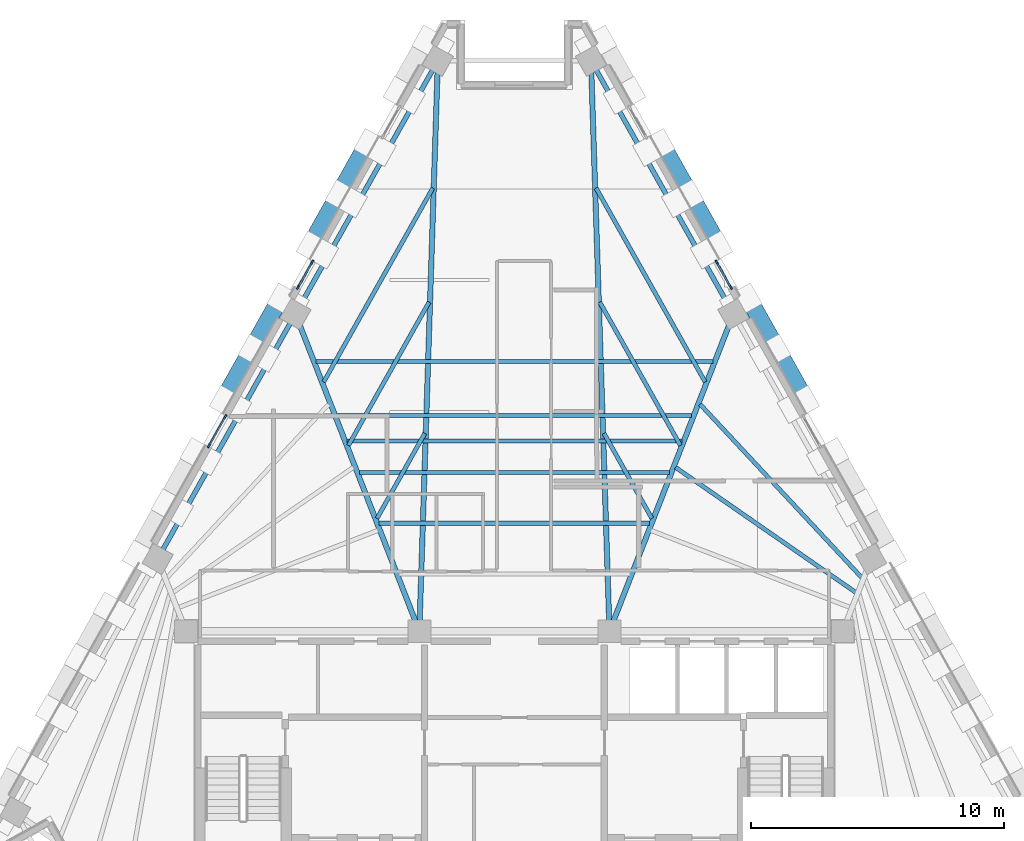
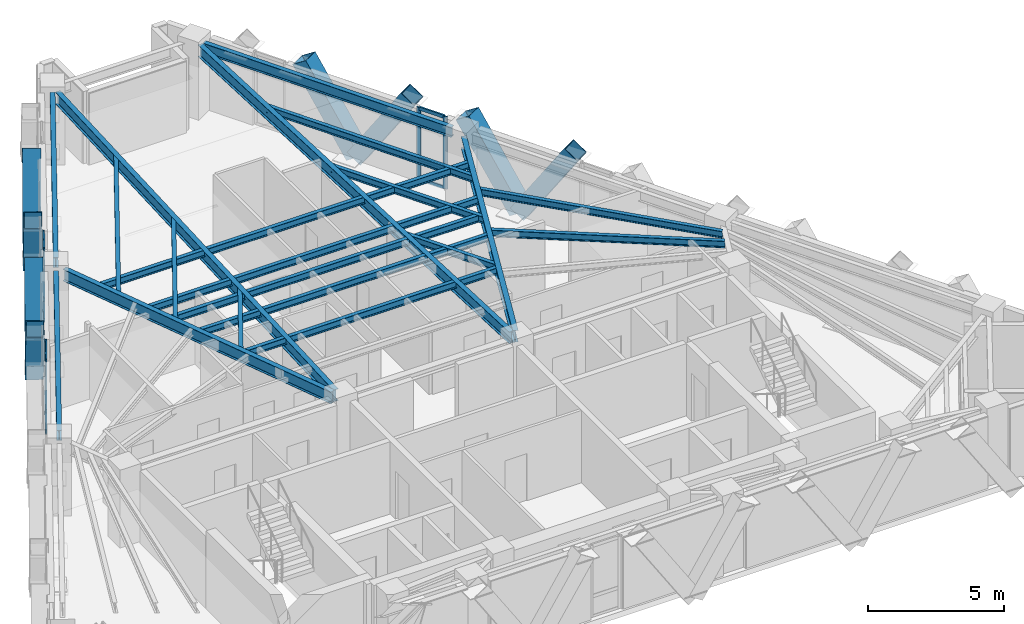
# One storey, part 3 of 12: 23 members, 20 beams, 3 elements without a shape of their own.
"""IFC4 building model written with IfcOpenShell, lengths in metres."""

from ifc_helpers import new_model, si_unit, direction, frame, origin, origin_2d, place, context, subcontext, project, spatial, rectangle, hollow_rectangle, i_section, extrude, material, material_profile, profile_set, type_object, element, aggregate, save


model = new_model("IFC4")

# Units and contexts
model_context = context("Model", 3, precision=1e-05, world=origin(), true_north=direction((0.0, 1.0)))
body_context = subcontext(model_context, "Body", "Model", "MODEL_VIEW")
ifc_project = project(units=[si_unit("LENGTHUNIT", "METRE"), si_unit("AREAUNIT", "SQUARE_METRE"), si_unit("VOLUMEUNIT", "CUBIC_METRE"), si_unit("PLANEANGLEUNIT", "RADIAN"), si_unit("MASSUNIT", "GRAM", prefix="KILO")], contexts=[model_context])

# Site, building, storey
site_placement = place(None, origin())
site = spatial("IfcSite", under=ifc_project, at=site_placement, CompositionType="ELEMENT")
building_placement = place(site_placement, origin())
building = spatial("IfcBuilding", under=site, at=building_placement, Name="Quenlor Broadcast Tower", CompositionType="ELEMENT")
storey_placement = place(building_placement, frame((0.0, 0.0, 221.89990234375)))
storey = spatial("IfcBuildingStorey", under=building, at=storey_placement, Name="L61", CompositionType="ELEMENT", Elevation=221.89990234375)

# Curtain wall, members
ifc_material_1 = material(Name="Architectural Terracotta and Low-E Glazing", Category="masonry")
curtain_wall_type = type_object("IfcCurtainWallType", Name="Unitised Terracotta Curtain Wall System Z4", PredefinedType="NOTDEFINED", material=ifc_material_1)
curtain_wall_1_placement = place(storey_placement, origin())
curtain_wall_1 = element("IfcCurtainWall", 1, at=curtain_wall_1_placement, inside=storey, type_object=curtain_wall_type, Name="L61 Curtain Wall CW4 (L61-NEA-G2)", PredefinedType="NOTDEFINED")
ifc_material_2 = material(Name="Aluminium 6063-T6", Category="aluminium")
ifc_material_profile_1 = material_profile(ifc_material_2, rectangle(XDim=0.068115234375, YDim=0.179931640625, at=origin_2d()))
ifc_profile_set_1 = profile_set([ifc_material_profile_1], Name="Aluminium 6063-T6 MULL68x180")
member_type_1 = type_object("IfcMemberType", Name="CW4 Aluminium Mullion MULL_CW4", PredefinedType="MULLION", material=ifc_profile_set_1)
member_1_placement = place(storey_placement, frame((7.979248046875, 9.755859375, 0.0), z_axis=(0.0, 0.0, 1.0), x_axis=(0.871557755022, 0.490292850918, 0.0)))
member_1 = element("IfcMember", 2, at=member_1_placement, type_object=member_type_1, Name="CW4 mullion 1", PredefinedType="MULLION", context=body_context, shape_type="SweptSolid", body=[
    extrude(rectangle(XDim=0.068115234375, YDim=0.179931640625, at=origin_2d()), origin(), (0.0, 0.0, 1.0), 3.25),
])
member_2_placement = place(storey_placement, frame((8.534912109375, 8.767822265625, 0.0), z_axis=(0.0, 0.0, 1.0), x_axis=(0.871557755022, 0.490292850918, 0.0)))
member_2 = element("IfcMember", 3, at=member_2_placement, type_object=member_type_1, Name="CW4 mullion 2", PredefinedType="MULLION", context=body_context, shape_type="SweptSolid", body=[
    extrude(rectangle(XDim=0.068115234375, YDim=0.179931640625, at=origin_2d()), origin(), (0.0, 0.0, 1.0), 3.25),
])

curtain_wall_2_placement = place(storey_placement, origin())
curtain_wall_2 = element("IfcCurtainWall", 4, at=curtain_wall_2_placement, inside=storey, type_object=curtain_wall_type, Name="L61 Curtain Wall CW4 (L61-NWC-G1)", PredefinedType="NOTDEFINED")
member_3_placement = place(storey_placement, frame((-8.534912109375, 8.767822265625, 0.0), z_axis=(0.0, 0.0, 1.0), x_axis=(-0.871557755022, 0.490292850918, 0.0)))
member_3 = element("IfcMember", 5, at=member_3_placement, type_object=member_type_1, Name="CW4 mullion 1", PredefinedType="MULLION", context=body_context, shape_type="SweptSolid", body=[
    extrude(rectangle(XDim=0.068115234375, YDim=0.179931640625, at=origin_2d()), origin(), (0.0, 0.0, 1.0), 3.25),
])
member_4_placement = place(storey_placement, frame((-7.979248046875, 9.755859375, 0.0), z_axis=(0.0, 0.0, 1.0), x_axis=(-0.871557755022, 0.490292850918, 0.0)))
member_4 = element("IfcMember", 6, at=member_4_placement, type_object=member_type_1, Name="CW4 mullion 2", PredefinedType="MULLION", context=body_context, shape_type="SweptSolid", body=[
    extrude(rectangle(XDim=0.068115234375, YDim=0.179931640625, at=origin_2d()), origin(), (0.0, 0.0, 1.0), 3.25),
])

curtain_wall_3_placement = place(storey_placement, origin())
curtain_wall_3 = element("IfcCurtainWall", 7, at=curtain_wall_3_placement, inside=storey, type_object=curtain_wall_type, Name="L61 Curtain Wall CW4 (L61-NW-G1)", PredefinedType="NOTDEFINED")
member_5_placement = place(storey_placement, frame((-12.049560546875, 2.519775390625, 0.0), z_axis=(0.0, 0.0, 1.0), x_axis=(-0.871560008943, 0.490288844266, 0.0)))
member_5 = element("IfcMember", 8, at=member_5_placement, type_object=member_type_1, Name="CW4 mullion 1", PredefinedType="MULLION", context=body_context, shape_type="SweptSolid", body=[
    extrude(rectangle(XDim=0.068115234375, YDim=0.179931640625, at=origin_2d()), origin(), (0.0, 0.0, 1.0), 3.25),
])
member_6_placement = place(storey_placement, frame((-11.408203125, 3.65966796875, 0.0), z_axis=(0.0, 0.0, 1.0), x_axis=(-0.871560008943, 0.490288844266, 0.0)))
member_6 = element("IfcMember", 9, at=member_6_placement, type_object=member_type_1, Name="CW4 mullion 2", PredefinedType="MULLION", context=body_context, shape_type="SweptSolid", body=[
    extrude(rectangle(XDim=0.068115234375, YDim=0.179931640625, at=origin_2d()), origin(), (0.0, 0.0, 1.0), 3.25),
])

# Member
ifc_material_3 = material(Name="Aluminium 6063-T6", Category="aluminium")
ifc_material_profile_2 = material_profile(ifc_material_3, rectangle(XDim=0.068115234375, YDim=0.14990234375, at=origin_2d()))
ifc_profile_set_2 = profile_set([ifc_material_profile_2], Name="Aluminium 6063-T6 TRAN68x150")
member_type_2 = type_object("IfcMemberType", Name="CW4 Aluminium Transom TRAN_CW4", PredefinedType="USERDEFINED", material=ifc_profile_set_2)
member_7_placement = place(storey_placement, frame((7.995849609375, 9.72607421875, 0.0341796875), z_axis=(0.490304750356, -0.871551060913, 0.0), x_axis=(0.871551060913, 0.490304750356, 0.0)))
member_7 = element("IfcMember", 10, at=member_7_placement, type_object=member_type_2, Name="CW4 transom 1.1", ObjectType="TRANSOM", PredefinedType="USERDEFINED", context=body_context, shape_type="SweptSolid", body=[
    extrude(rectangle(XDim=0.068115234375, YDim=0.14990234375, at=origin_2d()), origin(), (0.0, 0.0, 1.0), 1.065673828125),
])

member_8_placement = place(storey_placement, frame((7.995849609375, 9.72607421875, 0.9501953125), z_axis=(0.490304750356, -0.871551060913, 0.0), x_axis=(0.871551060913, 0.490304750356, 0.0)))
member_8 = element("IfcMember", 11, at=member_8_placement, type_object=member_type_2, Name="CW4 transom 1.2", ObjectType="TRANSOM", PredefinedType="USERDEFINED", context=body_context, shape_type="SweptSolid", body=[
    extrude(rectangle(XDim=0.068115234375, YDim=0.14990234375, at=origin_2d()), origin(), (0.0, 0.0, 1.0), 1.065673828125),
])

member_9_placement = place(storey_placement, frame((7.995849609375, 9.72607421875, 3.216064453125), z_axis=(0.490304750356, -0.871551060913, 0.0), x_axis=(0.871551060913, 0.490304750356, 0.0)))
member_9 = element("IfcMember", 12, at=member_9_placement, type_object=member_type_2, Name="CW4 transom 1.3", ObjectType="TRANSOM", PredefinedType="USERDEFINED", context=body_context, shape_type="SweptSolid", body=[
    extrude(rectangle(XDim=0.068115234375, YDim=0.14990234375, at=origin_2d()), origin(), (0.0, 0.0, 1.0), 1.065673828125),
])

aggregate(curtain_wall_1, [member_1, member_2, member_7, member_8, member_9])

member_10_placement = place(storey_placement, frame((-8.518310546875, 8.79736328125, 0.0341796875), z_axis=(0.490304750356, 0.871551060913, 0.0), x_axis=(-0.871551060913, 0.490304750356, 0.0)))
member_10 = element("IfcMember", 13, at=member_10_placement, type_object=member_type_2, Name="CW4 transom 1.1", ObjectType="TRANSOM", PredefinedType="USERDEFINED", context=body_context, shape_type="SweptSolid", body=[
    extrude(rectangle(XDim=0.068115234375, YDim=0.14990234375, at=origin_2d()), origin(), (0.0, 0.0, 1.0), 1.065673828125),
])

member_11_placement = place(storey_placement, frame((-8.518310546875, 8.79736328125, 0.9501953125), z_axis=(0.490304750356, 0.871551060913, 0.0), x_axis=(-0.871551060913, 0.490304750356, 0.0)))
member_11 = element("IfcMember", 14, at=member_11_placement, type_object=member_type_2, Name="CW4 transom 1.2", ObjectType="TRANSOM", PredefinedType="USERDEFINED", context=body_context, shape_type="SweptSolid", body=[
    extrude(rectangle(XDim=0.068115234375, YDim=0.14990234375, at=origin_2d()), origin(), (0.0, 0.0, 1.0), 1.065673828125),
])

member_12_placement = place(storey_placement, frame((-8.518310546875, 8.79736328125, 3.216064453125), z_axis=(0.490304750356, 0.871551060913, 0.0), x_axis=(-0.871551060913, 0.490304750356, 0.0)))
member_12 = element("IfcMember", 15, at=member_12_placement, type_object=member_type_2, Name="CW4 transom 1.3", ObjectType="TRANSOM", PredefinedType="USERDEFINED", context=body_context, shape_type="SweptSolid", body=[
    extrude(rectangle(XDim=0.068115234375, YDim=0.14990234375, at=origin_2d()), origin(), (0.0, 0.0, 1.0), 1.065673828125),
])

aggregate(curtain_wall_2, [member_3, member_4, member_10, member_11, member_12])

member_13_placement = place(storey_placement, frame((-12.032958984375, 2.54931640625, 0.0341796875), z_axis=(0.490233197009, 0.871591310506, 0.0), x_axis=(-0.871591310506, 0.490233197009, 0.0)))
member_13 = element("IfcMember", 16, at=member_13_placement, type_object=member_type_2, Name="CW4 transom 1.1", ObjectType="TRANSOM", PredefinedType="USERDEFINED", context=body_context, shape_type="SweptSolid", body=[
    extrude(rectangle(XDim=0.068115234375, YDim=0.14990234375, at=origin_2d()), origin(), (0.0, 0.0, 1.0), 1.239990234375),
])

member_14_placement = place(storey_placement, frame((-12.032958984375, 2.54931640625, 0.9501953125), z_axis=(0.490233197009, 0.871591310506, 0.0), x_axis=(-0.871591310506, 0.490233197009, 0.0)))
member_14 = element("IfcMember", 17, at=member_14_placement, type_object=member_type_2, Name="CW4 transom 1.2", ObjectType="TRANSOM", PredefinedType="USERDEFINED", context=body_context, shape_type="SweptSolid", body=[
    extrude(rectangle(XDim=0.068115234375, YDim=0.14990234375, at=origin_2d()), origin(), (0.0, 0.0, 1.0), 1.239990234375),
])

member_15_placement = place(storey_placement, frame((-12.032958984375, 2.54931640625, 3.216064453125), z_axis=(0.490233197009, 0.871591310506, 0.0), x_axis=(-0.871591310506, 0.490233197009, 0.0)))
member_15 = element("IfcMember", 18, at=member_15_placement, type_object=member_type_2, Name="CW4 transom 1.3", ObjectType="TRANSOM", PredefinedType="USERDEFINED", context=body_context, shape_type="SweptSolid", body=[
    extrude(rectangle(XDim=0.068115234375, YDim=0.14990234375, at=origin_2d()), origin(), (0.0, 0.0, 1.0), 1.239990234375),
])

aggregate(curtain_wall_3, [member_5, member_6, member_13, member_14, member_15])

# Members
ifc_material_4 = material(Name="Steel S355", Category="steel")
ifc_material_profile_3 = material_profile(ifc_material_4, hollow_rectangle(XDim=0.679931640625, YDim=0.679931640625, WallThickness=0.02490234375, at=origin_2d()))
ifc_profile_set_3 = profile_set([ifc_material_profile_3], Name="Steel S355 RHS680x680x25")
member_type_3 = type_object("IfcMemberType", Name="Perimeter Diagonal Lattice Brace Z3-Z4 Steel S355 RHS680x25", PredefinedType="BRACE", material=ifc_profile_set_3)
for number, where, z_axis, x_axis, name in (
    (19, (6.922607421875, 12.439697265625, -0.119873046875), (-0.269485495908, 0.479188912076, 0.835317636614), (-0.871620820774, -0.490180726664, 0.0), "L61 Perimeter Diamond Lattice NE-C1B"),
    (20, (6.936279296875, 12.415283203125, -0.119873046875), (0.269547055694, -0.479136497832, 0.835327840559), (0.871550060774, 0.49030652817, 0.0), "L61 Perimeter Diamond Lattice NE-C2S"),
):
    element("IfcMember", number, at=place(storey_placement, frame(where, z_axis=z_axis, x_axis=x_axis)), inside=storey, type_object=member_type_3, Name=name, PredefinedType="BRACE", context=body_context, shape_type="SweptSolid", body=[
        extrude(hollow_rectangle(XDim=0.679931640625, YDim=0.679931640625, WallThickness=0.02490234375, at=origin_2d()), origin(), (0.0, 0.0, 1.0), 4.18994140625),
    ])
member_16_placement = place(storey_placement, frame((10.351806640625, 6.343505859375, -0.119873046875), z_axis=(-0.269539530269, 0.479181387144, 0.835304519224), x_axis=(-0.871575537125, -0.490261239633, 0.0)))
element("IfcMember", 21, at=member_16_placement, inside=storey, type_object=member_type_3, Name="L61 Perimeter Diamond Lattice NE-C2B", PredefinedType="BRACE", context=body_context, shape_type="SweptSolid", body=[
    extrude(hollow_rectangle(XDim=0.679931640625, YDim=0.679931640625, WallThickness=0.02490234375, at=origin_2d()), origin(), (0.0, 0.0, 1.0), 4.190185546875),
])
for number, where, z_axis, x_axis, name in (
    (22, (10.365478515625, 6.319091796875, -0.119873046875), (0.269547055694, -0.479136497832, 0.835327840559), (0.871550060774, 0.49030652817, 0.0), "L61 Perimeter Diamond Lattice NE-C3S"),
    (23, (-10.365478515625, 6.319091796875, -0.119873046875), (-0.269547055694, -0.479136497832, 0.835327840559), (0.871550060774, -0.49030652817, 0.0), "L61 Perimeter Diamond Lattice NW-C3B"),
):
    element("IfcMember", number, at=place(storey_placement, frame(where, z_axis=z_axis, x_axis=x_axis)), inside=storey, type_object=member_type_3, Name=name, PredefinedType="BRACE", context=body_context, shape_type="SweptSolid", body=[
        extrude(hollow_rectangle(XDim=0.679931640625, YDim=0.679931640625, WallThickness=0.02490234375, at=origin_2d()), origin(), (0.0, 0.0, 1.0), 4.18994140625),
    ])
member_17_placement = place(storey_placement, frame((-10.351806640625, 6.343505859375, -0.119873046875), z_axis=(0.269539530269, 0.479181387144, 0.835304519224), x_axis=(-0.871575537125, 0.490261239633, 0.0)))
element("IfcMember", 24, at=member_17_placement, inside=storey, type_object=member_type_3, Name="L61 Perimeter Diamond Lattice NW-C4S", PredefinedType="BRACE", context=body_context, shape_type="SweptSolid", body=[
    extrude(hollow_rectangle(XDim=0.679931640625, YDim=0.679931640625, WallThickness=0.02490234375, at=origin_2d()), origin(), (0.0, 0.0, 1.0), 4.190185546875),
])
for number, where, z_axis, x_axis, name in (
    (25, (-6.936279296875, 12.415283203125, -0.119873046875), (-0.269547055694, -0.479136497832, 0.835327840559), (0.871550060774, -0.49030652817, 0.0), "L61 Perimeter Diamond Lattice NW-C4B"),
    (26, (-6.922607421875, 12.439697265625, -0.119873046875), (0.269485495908, 0.479188912076, 0.835317636614), (-0.871620820774, 0.490180726664, 0.0), "L61 Perimeter Diamond Lattice NW-C5S"),
):
    element("IfcMember", number, at=place(storey_placement, frame(where, z_axis=z_axis, x_axis=x_axis)), inside=storey, type_object=member_type_3, Name=name, PredefinedType="BRACE", context=body_context, shape_type="SweptSolid", body=[
        extrude(hollow_rectangle(XDim=0.679931640625, YDim=0.679931640625, WallThickness=0.02490234375, at=origin_2d()), origin(), (0.0, 0.0, 1.0), 4.18994140625),
    ])

# Beams
ifc_material_5 = material(Name="Steel S355", Category="steel")
ifc_material_profile_4 = material_profile(ifc_material_5, i_section(OverallWidth=0.18994140625, OverallDepth=0.453857421875, WebThickness=0.008544921875, FlangeThickness=0.0126953125, FilletRadius=0.011474609375, at=origin_2d()))
ifc_profile_set_4 = profile_set([ifc_material_profile_4], Name="Steel S355 460UB67.1")
beam_type_1 = type_object("IfcBeamType", Name="Perimeter Spandrel Beam Z4 Steel S355 460UB67.1", PredefinedType="SPANDREL", material=ifc_profile_set_4)
for number, where, z_axis, x_axis, name in (
    (27, (8.438720703125, 8.072265625, 3.023193359375), (-0.490281935429, 0.871563895415, 0.0), (-0.871563895415, -0.490281935429, 0.0), "L61 Spandrel Beam NE3-NE4"),
    (28, (-3.221435546875, 17.346923828125, 3.023193359375), (-0.490281935429, -0.871563895415, 0.0), (0.871563895415, -0.490281935429, 0.0), "L61 Spandrel Beam NW1-NW2"),
):
    element("IfcBeam", number, at=place(storey_placement, frame(where, z_axis=z_axis, x_axis=x_axis)), inside=storey, type_object=beam_type_1, Name=name, PredefinedType="SPANDREL", context=body_context, shape_type="SweptSolid", body=[
        extrude(i_section(OverallWidth=0.18994140625, OverallDepth=0.453857421875, WebThickness=0.008544921875, FlangeThickness=0.0126953125, FilletRadius=0.011474609375, at=origin_2d()), origin(), (0.0, 0.0, 1.0), 10.641357421875),
    ])
beam_1_placement = place(storey_placement, frame((-8.840576171875, 7.357666015625, 3.023193359375), z_axis=(-0.490263496537, -0.871574267612, 0.0), x_axis=(0.871574267612, -0.490263496537, 0.0)))
element("IfcBeam", 29, at=beam_1_placement, inside=storey, type_object=beam_type_1, Name="L61 Spandrel Beam NW2-NW3", PredefinedType="SPANDREL", context=body_context, shape_type="SweptSolid", body=[
    extrude(i_section(OverallWidth=0.18994140625, OverallDepth=0.453857421875, WebThickness=0.008544921875, FlangeThickness=0.0126953125, FilletRadius=0.011474609375, at=origin_2d()), origin(), (0.0, 0.0, 1.0), 10.271728515625),
])
ifc_material_6 = material(Name="Steel S355", Category="steel")
ifc_material_profile_5 = material_profile(ifc_material_6, i_section(OverallWidth=0.166015625, OverallDepth=0.30712890625, WebThickness=0.006591796875, FlangeThickness=0.01171875, FilletRadius=0.011474609375, at=origin_2d()))
ifc_profile_set_5 = profile_set([ifc_material_profile_5], Name="Steel S355 310UB46.2")
beam_type_2 = type_object("IfcBeamType", Name="Tower Composite Joist Z4-Z5 Steel S355 310UB46.2", PredefinedType="JOIST", material=ifc_profile_set_5)
beam_2_placement = place(storey_placement, frame((-6.603759765625, 2.708984375, 3.096435546875), z_axis=(1.0, 0.0, 0.0), x_axis=(0.0, 1.0, 0.0)))
element("IfcBeam", 30, at=beam_2_placement, inside=storey, type_object=beam_type_2, Name="L61 Secondary Composite Joist 2", PredefinedType="JOIST", context=body_context, shape_type="SweptSolid", body=[
    extrude(i_section(OverallWidth=0.166015625, OverallDepth=0.30712890625, WebThickness=0.006591796875, FlangeThickness=0.01171875, FilletRadius=0.011474609375, at=origin_2d()), origin(), (0.0, 0.0, 1.0), 13.20751953125),
])
beam_3_placement = place(storey_placement, frame((-5.33251953125, -0.544921875, 3.096435546875), z_axis=(1.0, 0.0, 0.0), x_axis=(0.0, 1.0, 0.0)))
element("IfcBeam", 31, at=beam_3_placement, inside=storey, type_object=beam_type_2, Name="L61 Secondary Composite Joist 3", PredefinedType="JOIST", context=body_context, shape_type="SweptSolid", body=[
    extrude(i_section(OverallWidth=0.166015625, OverallDepth=0.30712890625, WebThickness=0.006591796875, FlangeThickness=0.01171875, FilletRadius=0.011474609375, at=origin_2d()), origin(), (0.0, 0.0, 1.0), 10.6650390625),
])
beam_4_placement = place(storey_placement, frame((-6.11474609375, 1.45751953125, 3.096435546875), z_axis=(1.0, 0.0, 0.0), x_axis=(0.0, 1.0, 0.0)))
element("IfcBeam", 32, at=beam_4_placement, inside=storey, type_object=beam_type_2, Name="L61 Secondary Composite Joist 4", PredefinedType="JOIST", context=body_context, shape_type="SweptSolid", body=[
    extrude(i_section(OverallWidth=0.166015625, OverallDepth=0.30712890625, WebThickness=0.006591796875, FlangeThickness=0.01171875, FilletRadius=0.011474609375, at=origin_2d()), origin(), (0.0, 0.0, 1.0), 12.2294921875),
])
beam_5_placement = place(storey_placement, frame((-6.994873046875, 3.710205078125, 3.096435546875), z_axis=(1.0, 0.0, 0.0), x_axis=(0.0, 1.0, 0.0)))
element("IfcBeam", 33, at=beam_5_placement, inside=storey, type_object=beam_type_2, Name="L61 Secondary Composite Joist 5", PredefinedType="JOIST", context=body_context, shape_type="SweptSolid", body=[
    extrude(i_section(OverallWidth=0.166015625, OverallDepth=0.30712890625, WebThickness=0.006591796875, FlangeThickness=0.01171875, FilletRadius=0.011474609375, at=origin_2d()), origin(), (0.0, 0.0, 1.0), 13.98974609375),
])
beam_6_placement = place(storey_placement, frame((-7.826171875, 5.837646484375, 3.096435546875), z_axis=(1.0, 0.0, 0.0), x_axis=(0.0, 1.0, 0.0)))
element("IfcBeam", 34, at=beam_6_placement, inside=storey, type_object=beam_type_2, Name="L61 Secondary Composite Joist 6", PredefinedType="JOIST", context=body_context, shape_type="SweptSolid", body=[
    extrude(i_section(OverallWidth=0.166015625, OverallDepth=0.30712890625, WebThickness=0.006591796875, FlangeThickness=0.01171875, FilletRadius=0.011474609375, at=origin_2d()), origin(), (0.0, 0.0, 1.0), 15.65234375),
])
beam_7_placement = place(storey_placement, frame((13.470458984375, -3.273681640625, 3.096435546875), z_axis=(-0.821539857981, 0.570151086773, 0.0), x_axis=(-0.570151086773, -0.821539857981, 0.0)))
element("IfcBeam", 35, at=beam_7_placement, inside=storey, type_object=beam_type_2, Name="L61 Secondary Composite Joist 11", PredefinedType="JOIST", context=body_context, shape_type="SweptSolid", body=[
    extrude(i_section(OverallWidth=0.166015625, OverallDepth=0.30712890625, WebThickness=0.006591796875, FlangeThickness=0.01171875, FilletRadius=0.011474609375, at=origin_2d()), origin(), (0.0, 0.0, 1.0), 8.656982421875),
])
beam_8_placement = place(storey_placement, frame((13.707275390625, -2.691162109375, 3.096435546875), z_axis=(-0.682034672805, 0.731319837754, 0.0), x_axis=(-0.731319837754, -0.682034672805, 0.0)))
element("IfcBeam", 36, at=beam_8_placement, inside=storey, type_object=beam_type_2, Name="L61 Secondary Composite Joist 12", PredefinedType="JOIST", context=body_context, shape_type="SweptSolid", body=[
    extrude(i_section(OverallWidth=0.166015625, OverallDepth=0.30712890625, WebThickness=0.006591796875, FlangeThickness=0.01171875, FilletRadius=0.011474609375, at=origin_2d()), origin(), (0.0, 0.0, 1.0), 9.357421875),
])
beam_9_placement = place(storey_placement, frame((-3.533935546875, 3.0068359375, 3.096435546875), z_axis=(-0.490243182397, -0.871585694073, 0.0), x_axis=(0.871585694073, -0.490243182397, 0.0)))
element("IfcBeam", 37, at=beam_9_placement, inside=storey, type_object=beam_type_2, Name="L61 Secondary Composite Joist 25", PredefinedType="JOIST", context=body_context, shape_type="SweptSolid", body=[
    extrude(i_section(OverallWidth=0.166015625, OverallDepth=0.30712890625, WebThickness=0.006591796875, FlangeThickness=0.01171875, FilletRadius=0.011474609375, at=origin_2d()), origin(), (0.0, 0.0, 1.0), 3.8515625),
])
beam_10_placement = place(storey_placement, frame((-3.3662109375, 8.182861328125, 3.096435546875), z_axis=(-0.490230865807, -0.871592621705, 0.0), x_axis=(0.871592621705, -0.490230865807, 0.0)))
element("IfcBeam", 38, at=beam_10_placement, inside=storey, type_object=beam_type_2, Name="L61 Secondary Composite Joist 26", PredefinedType="JOIST", context=body_context, shape_type="SweptSolid", body=[
    extrude(i_section(OverallWidth=0.166015625, OverallDepth=0.30712890625, WebThickness=0.006591796875, FlangeThickness=0.01171875, FilletRadius=0.011474609375, at=origin_2d()), origin(), (0.0, 0.0, 1.0), 6.487548828125),
])
beam_11_placement = place(storey_placement, frame((-3.22021484375, 12.68359375, 3.096435546875), z_axis=(-0.490261239633, -0.871575537125, 0.0), x_axis=(0.871575537125, -0.490261239633, 0.0)))
element("IfcBeam", 39, at=beam_11_placement, inside=storey, type_object=beam_type_2, Name="L61 Secondary Composite Joist 27", PredefinedType="JOIST", context=body_context, shape_type="SweptSolid", body=[
    extrude(i_section(OverallWidth=0.166015625, OverallDepth=0.30712890625, WebThickness=0.006591796875, FlangeThickness=0.01171875, FilletRadius=0.011474609375, at=origin_2d()), origin(), (0.0, 0.0, 1.0), 8.77978515625),
])
beam_12_placement = place(storey_placement, frame((3.533935546875, 3.0068359375, 3.096435546875), z_axis=(0.490243182397, -0.871585694073, 0.0), x_axis=(0.871585694073, 0.490243182397, 0.0)))
element("IfcBeam", 40, at=beam_12_placement, inside=storey, type_object=beam_type_2, Name="L61 Secondary Composite Joist 28", PredefinedType="JOIST", context=body_context, shape_type="SweptSolid", body=[
    extrude(i_section(OverallWidth=0.166015625, OverallDepth=0.30712890625, WebThickness=0.006591796875, FlangeThickness=0.01171875, FilletRadius=0.011474609375, at=origin_2d()), origin(), (0.0, 0.0, 1.0), 3.8515625),
])
beam_13_placement = place(storey_placement, frame((3.3662109375, 8.182861328125, 3.096435546875), z_axis=(0.490230865807, -0.871592621705, 0.0), x_axis=(0.871592621705, 0.490230865807, 0.0)))
element("IfcBeam", 41, at=beam_13_placement, inside=storey, type_object=beam_type_2, Name="L61 Secondary Composite Joist 29", PredefinedType="JOIST", context=body_context, shape_type="SweptSolid", body=[
    extrude(i_section(OverallWidth=0.166015625, OverallDepth=0.30712890625, WebThickness=0.006591796875, FlangeThickness=0.01171875, FilletRadius=0.011474609375, at=origin_2d()), origin(), (0.0, 0.0, 1.0), 6.487548828125),
])
beam_14_placement = place(storey_placement, frame((3.22021484375, 12.68359375, 3.096435546875), z_axis=(0.490261239633, -0.871575537125, 0.0), x_axis=(0.871575537125, 0.490261239633, 0.0)))
element("IfcBeam", 42, at=beam_14_placement, inside=storey, type_object=beam_type_2, Name="L61 Secondary Composite Joist 30", PredefinedType="JOIST", context=body_context, shape_type="SweptSolid", body=[
    extrude(i_section(OverallWidth=0.166015625, OverallDepth=0.30712890625, WebThickness=0.006591796875, FlangeThickness=0.01171875, FilletRadius=0.011474609375, at=origin_2d()), origin(), (0.0, 0.0, 1.0), 8.77978515625),
])
ifc_material_7 = material(Name="Steel S355", Category="steel")
ifc_material_profile_6 = material_profile(ifc_material_7, i_section(OverallWidth=0.208984375, OverallDepth=0.5283203125, WebThickness=0.009521484375, FlangeThickness=0.01318359375, FilletRadius=0.013916015625, at=origin_2d()))
ifc_profile_set_6 = profile_set([ifc_material_profile_6], Name="Steel S355 530UB82.0")
beam_type_3 = type_object("IfcBeamType", Name="Tower Primary Floor Beam Z4 Steel S355 530UB82.0", PredefinedType="BEAM", material=ifc_profile_set_6)
beam_15_placement = place(storey_placement, frame((8.490478515625, 7.3330078125, 2.986083984375), z_axis=(-0.363926160921, -0.931427801495, 0.0), x_axis=(0.931427801495, -0.363926160921, 0.0)))
element("IfcBeam", 43, at=beam_15_placement, inside=storey, type_object=beam_type_3, Name="L61 Primary Radial Beam NE3", PredefinedType="BEAM", context=body_context, shape_type="SweptSolid", body=[
    extrude(i_section(OverallWidth=0.208984375, OverallDepth=0.5283203125, WebThickness=0.009521484375, FlangeThickness=0.01318359375, FilletRadius=0.013916015625, at=origin_2d()), origin(), (0.0, 0.0, 1.0), 12.646240234375),
])
for number, where, z_axis, x_axis, name in (
    (44, (3.03369140625, 17.29443359375, 2.986083984375), (0.032408228632, -0.999474715397, 0.0), (0.999474715397, 0.032408228632, 0.0), "L61 Primary Radial Beam NE4"),
    (45, (-3.03369140625, 17.29443359375, 2.986083984375), (-0.032408228632, -0.999474715397, 0.0), (0.999474715397, -0.032408228632, 0.0), "L61 Primary Radial Beam NW1"),
):
    element("IfcBeam", number, at=place(storey_placement, frame(where, z_axis=z_axis, x_axis=x_axis)), inside=storey, type_object=beam_type_3, Name=name, PredefinedType="BEAM", context=body_context, shape_type="SweptSolid", body=[
        extrude(i_section(OverallWidth=0.208984375, OverallDepth=0.5283203125, WebThickness=0.009521484375, FlangeThickness=0.01318359375, FilletRadius=0.013916015625, at=origin_2d()), origin(), (0.0, 0.0, 1.0), 21.72607421875),
    ])
beam_16_placement = place(storey_placement, frame((-8.490478515625, 7.3330078125, 2.986083984375), z_axis=(0.363926160921, -0.931427801495, 0.0), x_axis=(0.931427801495, 0.363926160921, 0.0)))
element("IfcBeam", 46, at=beam_16_placement, inside=storey, type_object=beam_type_3, Name="L61 Primary Radial Beam NW2", PredefinedType="BEAM", context=body_context, shape_type="SweptSolid", body=[
    extrude(i_section(OverallWidth=0.208984375, OverallDepth=0.5283203125, WebThickness=0.009521484375, FlangeThickness=0.01318359375, FilletRadius=0.013916015625, at=origin_2d()), origin(), (0.0, 0.0, 1.0), 12.646240234375),
])

save(model, "model.ifc")
